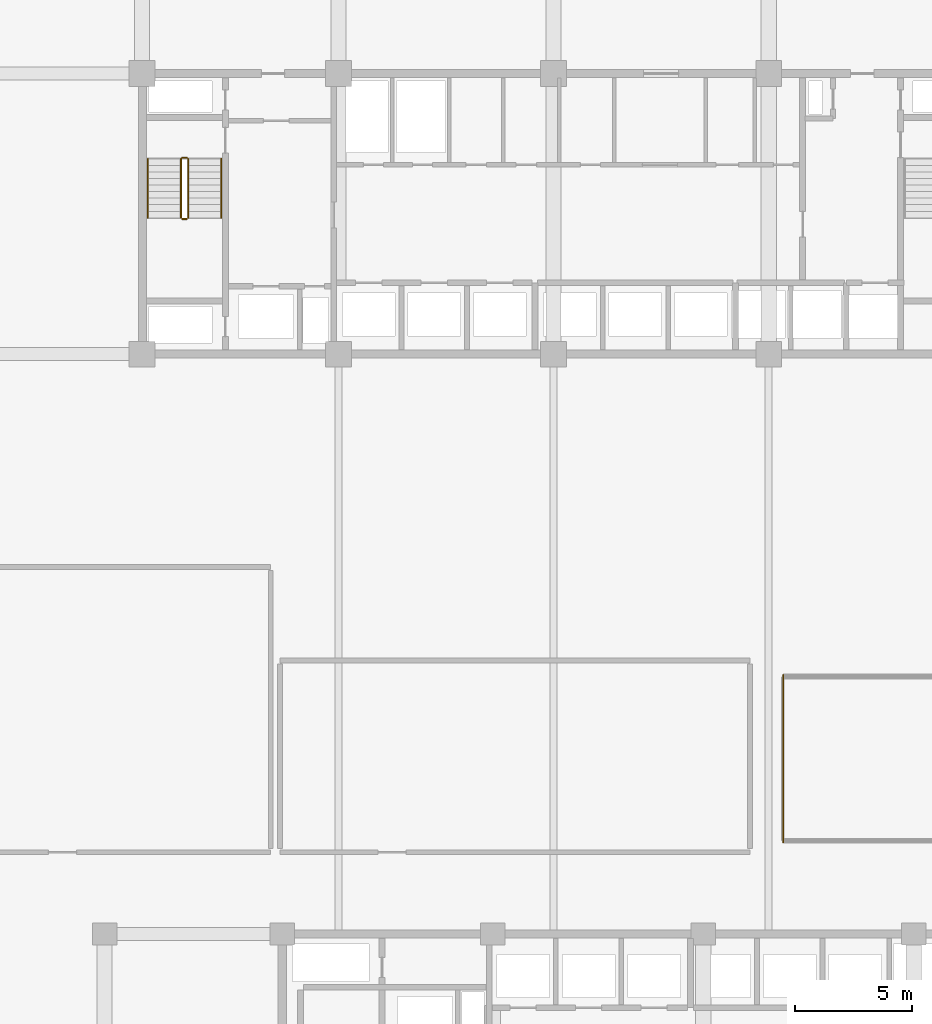
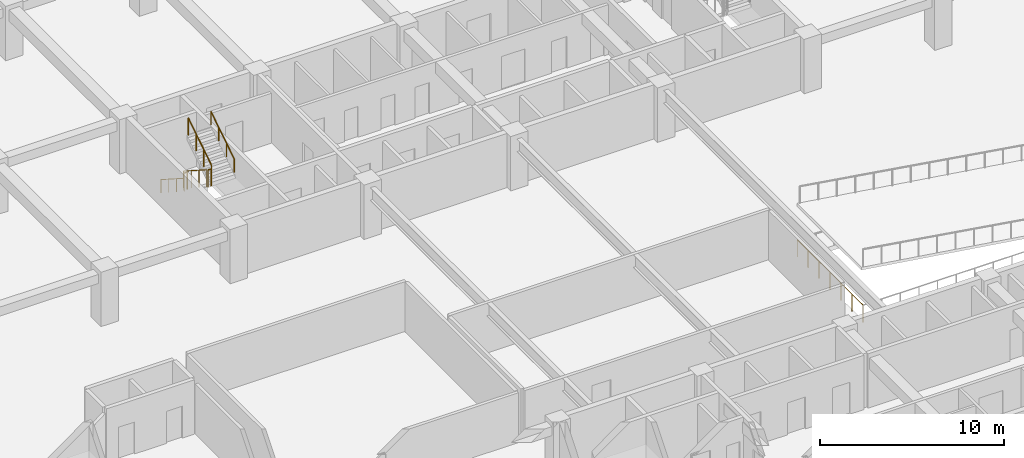
# One storey, part 19 of 22: 7 railings.
"""IFC4 building model written with IfcOpenShell, lengths in metres."""

from ifc_helpers import new_model, si_unit, direction, frame, origin, origin_2d, place, context, subcontext, project, spatial, circle, extrude, material, type_object, element, save


model = new_model("IFC4")

# Units and contexts
model_context = context("Model", 3, precision=1e-05, world=origin(), true_north=direction((0.0, 1.0)))
body_context = subcontext(model_context, "Body", "Model", "MODEL_VIEW")
ifc_project = project(units=[si_unit("LENGTHUNIT", "METRE"), si_unit("AREAUNIT", "SQUARE_METRE"), si_unit("VOLUMEUNIT", "CUBIC_METRE"), si_unit("PLANEANGLEUNIT", "RADIAN"), si_unit("MASSUNIT", "GRAM", prefix="KILO")], contexts=[model_context])

# Site, building, storey
site_placement = place(None, origin())
site = spatial("IfcSite", under=ifc_project, at=site_placement, CompositionType="ELEMENT")
building_placement = place(site_placement, origin())
building = spatial("IfcBuilding", under=site, at=building_placement, Name="Korimba Cascade Residences", CompositionType="ELEMENT")
storey_placement = place(building_placement, frame((0.0, 0.0, -7.199951171875)))
storey = spatial("IfcBuildingStorey", under=building, at=storey_placement, Name="B02", CompositionType="ELEMENT", Elevation=-7.199951171875)

# Railings
ifc_material_1 = material(Name="Painted Steel Stairwell Guardrail", Category="steel")
railing_type_1 = type_object("IfcRailingType", Name="RLG-ST-GD1150", PredefinedType="GUARDRAIL", material=ifc_material_1)
railing_1_placement = place(storey_placement, frame((77.77001953125, 63.550048828125, 0.179931640625)))
element("IfcRailing", 1, at=railing_1_placement, inside=storey, type_object=railing_type_1, Name="B02 ST-W1 stair guard 1", PredefinedType="GUARDRAIL", context=body_context, shape_type="SweptSolid", body=[
    extrude(circle(Radius=0.02392578125, at=origin_2d()), frame((0.0, 0.0, 1.1259765625), z_axis=(0.0, -0.841162588446, 0.540782303519), x_axis=(1.0, 0.0, 0.0)), (0.0, 0.0, 1.0), 2.995849609375),
    extrude(circle(Radius=0.02099609375, at=origin_2d()), origin(), (0.0, 0.0, 1.0), 1.101806640625),
    extrude(circle(Radius=0.02099609375, at=origin_2d()), frame((0.0, -0.840087890625, 0.5400390625)), (0.0, 0.0, 1.0), 1.101806640625),
    extrude(circle(Radius=0.02099609375, at=origin_2d()), frame((0.0, -1.679931640625, 1.080078125)), (0.0, 0.0, 1.0), 1.101806640625),
    extrude(circle(Radius=0.02099609375, at=origin_2d()), frame((0.0, -2.52001953125, 1.6201171875)), (0.0, 0.0, 1.0), 1.101806640625),
])
railing_2_placement = place(storey_placement, frame((77.820068359375, 60.97998046875, 1.800048828125)))
element("IfcRailing", 2, at=railing_2_placement, inside=storey, type_object=railing_type_1, Name="B02 ST-W1 stair guard 2", PredefinedType="GUARDRAIL", context=body_context, shape_type="SweptSolid", body=[
    extrude(circle(Radius=0.02392578125, at=origin_2d()), frame((0.0, 0.0, 1.1259765625), z_axis=(1.0, 0.0, 0.0), x_axis=(0.0, 1.0, 0.0)), (0.0, 0.0, 1.0), 0.199951171875),
    extrude(circle(Radius=0.02099609375, at=origin_2d()), origin(), (0.0, 0.0, 1.0), 1.101806640625),
    extrude(circle(Radius=0.02099609375, at=origin_2d()), frame((0.199951171875, 0.0, 0.0)), (0.0, 0.0, 1.0), 1.101806640625),
])
railing_3_placement = place(storey_placement, frame((78.070068359375, 61.030029296875, 1.97998046875)))
element("IfcRailing", 3, at=railing_3_placement, inside=storey, type_object=railing_type_1, Name="B02 ST-W1 stair guard 3", PredefinedType="GUARDRAIL", context=body_context, shape_type="SweptSolid", body=[
    extrude(circle(Radius=0.02392578125, at=origin_2d()), frame((0.0, 0.0, 1.1259765625), z_axis=(0.0, 0.841199657755, 0.540724639528), x_axis=(-1.0, 0.0, 0.0)), (0.0, 0.0, 1.0), 2.995849609375),
    extrude(circle(Radius=0.02099609375, at=origin_2d()), origin(), (0.0, 0.0, 1.0), 1.101806640625),
    extrude(circle(Radius=0.02099609375, at=origin_2d()), frame((0.0, 0.840087890625, 0.5400390625)), (0.0, 0.0, 1.0), 1.101806640625),
    extrude(circle(Radius=0.02099609375, at=origin_2d()), frame((0.0, 1.679931640625, 1.079833984375)), (0.0, 0.0, 1.0), 1.101806640625),
    extrude(circle(Radius=0.02099609375, at=origin_2d()), frame((0.0, 2.52001953125, 1.619873046875)), (0.0, 0.0, 1.0), 1.101806640625),
])
railing_4_placement = place(storey_placement, frame((77.820068359375, 63.60009765625, 0.0)))
element("IfcRailing", 4, at=railing_4_placement, inside=storey, type_object=railing_type_1, Name="B02 ST-W1 stair guard 4", PredefinedType="GUARDRAIL", context=body_context, shape_type="SweptSolid", body=[
    extrude(circle(Radius=0.02392578125, at=origin_2d()), frame((0.0, 0.0, 1.1259765625), z_axis=(1.0, 0.0, 0.0), x_axis=(0.0, 1.0, 0.0)), (0.0, 0.0, 1.0), 0.199951171875),
    extrude(circle(Radius=0.02099609375, at=origin_2d()), origin(), (0.0, 0.0, 1.0), 1.101806640625),
    extrude(circle(Radius=0.02099609375, at=origin_2d()), frame((0.199951171875, 0.0, 0.0)), (0.0, 0.0, 1.0), 1.101806640625),
])
ifc_material_2 = material(Name="Brushed Stainless Steel Handrail", Category="steel")
railing_type_2 = type_object("IfcRailingType", Name="RLG-ST-HR900", PredefinedType="HANDRAIL", material=ifc_material_2)
railing_5_placement = place(storey_placement, frame((76.35009765625, 63.550048828125, 0.36376953125)))
element("IfcRailing", 5, at=railing_5_placement, inside=storey, type_object=railing_type_2, Name="B02 ST-W1 stair handrail 1", PredefinedType="HANDRAIL", context=body_context, shape_type="SweptSolid", body=[
    extrude(circle(Radius=0.02392578125, at=origin_2d()), frame((0.0, 0.0, 0.8759765625), z_axis=(0.0, -0.841199657755, 0.540724639528), x_axis=(1.0, 0.0, 0.0)), (0.0, 0.0, 1.0), 2.995849609375),
    extrude(circle(Radius=0.02099609375, at=origin_2d()), origin(), (0.0, 0.0, 1.0), 0.851806640625),
    extrude(circle(Radius=0.02099609375, at=origin_2d()), frame((0.0, -0.840087890625, 0.5400390625)), (0.0, 0.0, 1.0), 0.851806640625),
    extrude(circle(Radius=0.02099609375, at=origin_2d()), frame((0.0, -1.679931640625, 1.079833984375)), (0.0, 0.0, 1.0), 0.851806640625),
    extrude(circle(Radius=0.02099609375, at=origin_2d()), frame((0.0, -2.52001953125, 1.619873046875)), (0.0, 0.0, 1.0), 0.851806640625),
])
railing_6_placement = place(storey_placement, frame((79.489990234375, 61.030029296875, 2.163818359375)))
element("IfcRailing", 6, at=railing_6_placement, inside=storey, type_object=railing_type_2, Name="B02 ST-W1 stair handrail 2", PredefinedType="HANDRAIL", context=body_context, shape_type="SweptSolid", body=[
    extrude(circle(Radius=0.02392578125, at=origin_2d()), frame((0.0, 0.0, 0.8759765625), z_axis=(0.0, 0.841199657755, 0.540724639528), x_axis=(-1.0, 0.0, 0.0)), (0.0, 0.0, 1.0), 2.995849609375),
    extrude(circle(Radius=0.02099609375, at=origin_2d()), origin(), (0.0, 0.0, 1.0), 0.851806640625),
    extrude(circle(Radius=0.02099609375, at=origin_2d()), frame((0.0, 0.840087890625, 0.5400390625)), (0.0, 0.0, 1.0), 0.851806640625),
    extrude(circle(Radius=0.02099609375, at=origin_2d()), frame((0.0, 1.679931640625, 1.079833984375)), (0.0, 0.0, 1.0), 0.851806640625),
    extrude(circle(Radius=0.02099609375, at=origin_2d()), frame((0.0, 2.52001953125, 1.619873046875)), (0.0, 0.0, 1.0), 0.851806640625),
])
ifc_material_3 = material(Name="Painted Galvanised Steel Terrace Guardrail", Category="steel")
railing_type_3 = type_object("IfcRailingType", Name="RLG-TER-1150", PredefinedType="GUARDRAIL", material=ifc_material_3)
railing_7_placement = place(storey_placement, frame((103.52001953125, 34.320068359375, 0.0)))
element("IfcRailing", 7, at=railing_7_placement, inside=storey, type_object=railing_type_3, Name="B02 Ramp Well End Guardrail", PredefinedType="GUARDRAIL", context=body_context, shape_type="SweptSolid", body=[
    extrude(circle(Radius=0.02392578125, at=origin_2d()), frame((0.0, 0.0, 1.1259765625), z_axis=(0.0, 1.0, 0.0), x_axis=(-1.0, 0.0, 0.0)), (0.0, 0.0, 1.0), 7.159912109375),
    extrude(circle(Radius=0.02099609375, at=origin_2d()), origin(), (0.0, 0.0, 1.0), 1.101806640625),
    extrude(circle(Radius=0.02099609375, at=origin_2d()), frame((0.0, 1.193359375, 0.0)), (0.0, 0.0, 1.0), 1.101806640625),
    extrude(circle(Radius=0.02099609375, at=origin_2d()), frame((0.0, 2.38671875, 0.0)), (0.0, 0.0, 1.0), 1.101806640625),
    extrude(circle(Radius=0.02099609375, at=origin_2d()), frame((0.0, 3.580078125, 0.0)), (0.0, 0.0, 1.0), 1.101806640625),
    extrude(circle(Radius=0.02099609375, at=origin_2d()), frame((0.0, 4.773193359375, 0.0)), (0.0, 0.0, 1.0), 1.101806640625),
    extrude(circle(Radius=0.02099609375, at=origin_2d()), frame((0.0, 5.966552734375, 0.0)), (0.0, 0.0, 1.0), 1.101806640625),
    extrude(circle(Radius=0.02099609375, at=origin_2d()), frame((0.0, 7.159912109375, 0.0)), (0.0, 0.0, 1.0), 1.101806640625),
])

save(model, "model.ifc")
